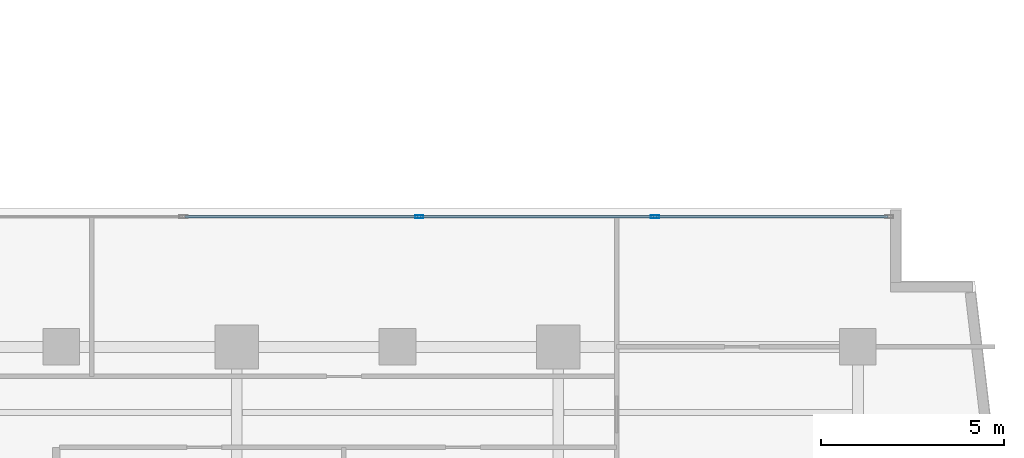
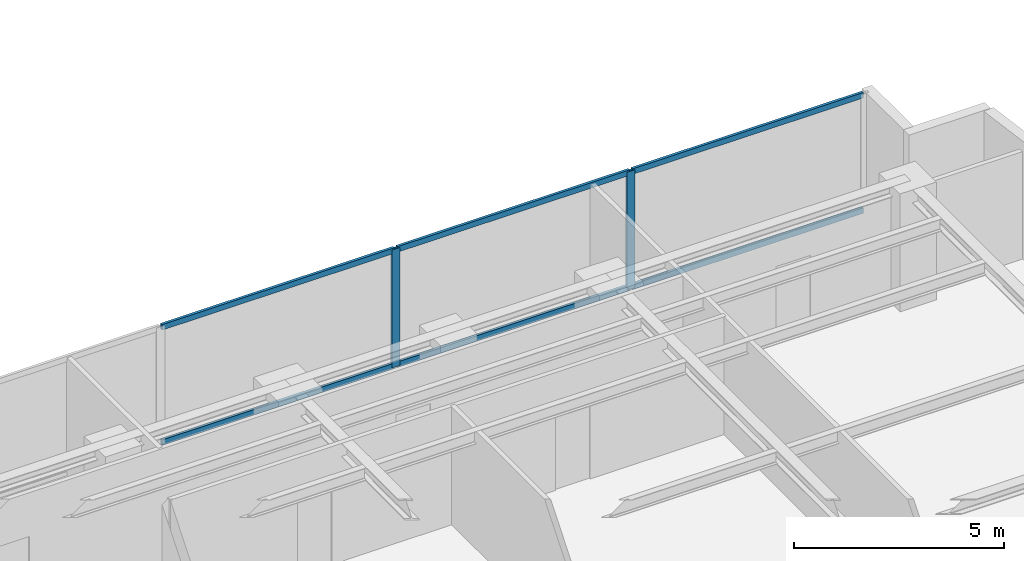
# One storey, part 13 of 26: 8 members, 1 element without a shape of its own.
"""IFC4 building model written with IfcOpenShell, lengths in metres."""

from ifc_helpers import new_model, si_unit, direction, frame, origin, origin_with_axes, origin_2d, place, context, subcontext, project, spatial, hollow_rectangle, extrude, source, transform, mapped, material, layer, layer_set, material_profile, profile_set, type_object, element, aggregate, save


model = new_model("IFC4")

# Units and contexts
model_context = context("Model", 3, precision=1e-05, world=origin(), true_north=direction((0.0, 1.0)))
body_context = subcontext(model_context, "Body", "Model", "MODEL_VIEW")
ifc_project = project(units=[si_unit("LENGTHUNIT", "METRE"), si_unit("AREAUNIT", "SQUARE_METRE"), si_unit("VOLUMEUNIT", "CUBIC_METRE"), si_unit("PLANEANGLEUNIT", "RADIAN"), si_unit("MASSUNIT", "GRAM", prefix="KILO")], contexts=[model_context])

# Site, building, storey
site_placement = place(None, origin())
site = spatial("IfcSite", under=ifc_project, at=site_placement, CompositionType="ELEMENT")
building_placement = place(site_placement, origin())
building = spatial("IfcBuilding", under=site, at=building_placement, Name="Kolvaren Waterfront Exchange", CompositionType="ELEMENT")
storey_placement = place(building_placement, frame((0.0, 0.0, 195.60009765625)))
storey = spatial("IfcBuildingStorey", under=building, at=storey_placement, Name="L50", CompositionType="ELEMENT", Elevation=195.60009765625)

# Curtain wall, members
ifc_material_1 = material(Name="Anodised bronze aluminium 6063-T6", Category="aluminium")
ifc_layer = layer(ifc_material_1, 0.219970703125, Name="Anodised bronze aluminium 6063-T6")
ifc_layer_set = layer_set([ifc_layer], Name="Anodised bronze aluminium 6063-T6")
curtain_wall_type = type_object("IfcCurtainWallType", Name="ARC-CW-SYS1", PredefinedType="USERDEFINED", material=ifc_layer_set)
curtain_wall_placement = place(storey_placement, origin())
curtain_wall = element("IfcCurtainWall", 1, at=curtain_wall_placement, inside=storey, type_object=curtain_wall_type, Name="L50 stick curtain wall CW1 (CW-L50-EN)", ObjectType="STICK CURTAIN WALL", PredefinedType="USERDEFINED")
ifc_material_2 = material(Name="Anodised aluminium 6063-T6", Category="aluminium")
ifc_material_profile_1 = material_profile(ifc_material_2, hollow_rectangle(XDim=0.080078125, YDim=0.219970703125, WallThickness=0.0048828125, at=origin_2d()), Name="ALU-MUL-220x80x5")
ifc_profile_set_1 = profile_set([ifc_material_profile_1], Name="Anodised aluminium 6063-T6")
member_type_1 = type_object("IfcMemberType", Name="ARC-CWM-220", PredefinedType="MULLION", material=ifc_profile_set_1)
shared_shape_1 = source(origin_with_axes(), body_context, "Body", "SweptSolid", [
    extrude(hollow_rectangle(XDim=0.080078125, YDim=0.219970703125, WallThickness=0.0048828125, at=origin_2d()), origin(), (0.0, 0.0, 1.0), 3.419921875),
])
member_1_placement = place(storey_placement, frame((41.794921875, 20.9599609375, 0.0), z_axis=(0.0, 0.0, 1.0), x_axis=(0.0, 1.0, 0.0)))
member_1 = element("IfcMember", 2, at=member_1_placement, type_object=member_type_1, Name="CW1 mullion 3", PredefinedType="MULLION", context=body_context, shape_type="MappedRepresentation", body=[
    mapped(shared_shape_1, transform((0.0, 0.0, 0.0), x_axis=(1.0, 0.0, 0.0), y_axis=(0.0, 1.0, 0.0), z_axis=(0.0, 0.0, 1.0), scale=1.0)),
])
member_2_placement = place(storey_placement, frame((48.24755859375, 20.9599609375, 0.0), z_axis=(0.0, 0.0, 1.0), x_axis=(0.0, 1.0, 0.0)))
member_2 = element("IfcMember", 3, at=member_2_placement, type_object=member_type_1, Name="CW1 mullion 4", PredefinedType="MULLION", context=body_context, shape_type="MappedRepresentation", body=[
    mapped(shared_shape_1, transform((0.0, 0.0, 0.0), x_axis=(1.0, 0.0, 0.0), y_axis=(0.0, 1.0, 0.0), z_axis=(0.0, 0.0, 1.0), scale=1.0)),
])
ifc_material_profile_2 = material_profile(ifc_material_2, hollow_rectangle(XDim=0.074951171875, YDim=0.159912109375, WallThickness=0.00439453125, at=origin_2d()), Name="ALU-TRN-160x75x4.5")
ifc_profile_set_2 = profile_set([ifc_material_profile_2], Name="Anodised aluminium 6063-T6")
member_type_2 = type_object("IfcMemberType", Name="ARC-CWT-160", PredefinedType="USERDEFINED", material=ifc_profile_set_2)
shared_shape_2 = source(origin_with_axes(), body_context, "Body", "SweptSolid", [
    extrude(hollow_rectangle(XDim=0.074951171875, YDim=0.159912109375, WallThickness=0.00439453125, at=origin_2d()), origin(), (0.0, 0.0, 1.0), 6.33251953125),
])
member_3_placement = place(storey_placement, frame((48.28759765625, 20.9599609375, 0.037353515625), z_axis=(1.0, 0.0, 0.0), x_axis=(0.0, 1.0, 0.0)))
member_3 = element("IfcMember", 4, at=member_3_placement, type_object=member_type_2, Name="CW1 transom 4.1", ObjectType="TRANSOM", PredefinedType="USERDEFINED", context=body_context, shape_type="MappedRepresentation", body=[
    mapped(shared_shape_2, transform((0.0, 0.0, 0.0), x_axis=(1.0, 0.0, 0.0), y_axis=(0.0, 1.0, 0.0), z_axis=(0.0, 0.0, 1.0), scale=1.0)),
])
member_4_placement = place(storey_placement, frame((48.28759765625, 20.9599609375, 3.38232421875), z_axis=(1.0, 0.0, 0.0), x_axis=(0.0, 1.0, 0.0)))
member_4 = element("IfcMember", 5, at=member_4_placement, type_object=member_type_2, Name="CW1 transom 4.2", ObjectType="TRANSOM", PredefinedType="USERDEFINED", context=body_context, shape_type="MappedRepresentation", body=[
    mapped(shared_shape_2, transform((0.0, 0.0, 0.0), x_axis=(1.0, 0.0, 0.0), y_axis=(0.0, 1.0, 0.0), z_axis=(0.0, 0.0, 1.0), scale=1.0)),
])
shared_shape_3 = source(origin_with_axes(), body_context, "Body", "SweptSolid", [
    extrude(hollow_rectangle(XDim=0.074951171875, YDim=0.159912109375, WallThickness=0.00439453125, at=origin_2d()), origin(), (0.0, 0.0, 1.0), 6.372314453125),
])
member_5_placement = place(storey_placement, frame((35.382568359375, 20.9599609375, 0.037353515625), z_axis=(1.0, 0.0, 0.0), x_axis=(0.0, 1.0, 0.0)))
member_5 = element("IfcMember", 6, at=member_5_placement, type_object=member_type_2, Name="CW1 transom 2.1", ObjectType="TRANSOM", PredefinedType="USERDEFINED", context=body_context, shape_type="MappedRepresentation", body=[
    mapped(shared_shape_3, transform((0.0, 0.0, 0.0), x_axis=(1.0, 0.0, 0.0), y_axis=(0.0, 1.0, 0.0), z_axis=(0.0, 0.0, 1.0), scale=1.0)),
])
member_6_placement = place(storey_placement, frame((35.382568359375, 20.9599609375, 3.38232421875), z_axis=(1.0, 0.0, 0.0), x_axis=(0.0, 1.0, 0.0)))
member_6 = element("IfcMember", 7, at=member_6_placement, type_object=member_type_2, Name="CW1 transom 2.2", ObjectType="TRANSOM", PredefinedType="USERDEFINED", context=body_context, shape_type="MappedRepresentation", body=[
    mapped(shared_shape_3, transform((0.0, 0.0, 0.0), x_axis=(1.0, 0.0, 0.0), y_axis=(0.0, 1.0, 0.0), z_axis=(0.0, 0.0, 1.0), scale=1.0)),
])
shared_shape_4 = source(origin_with_axes(), body_context, "Body", "SweptSolid", [
    extrude(hollow_rectangle(XDim=0.074951171875, YDim=0.159912109375, WallThickness=0.00439453125, at=origin_2d()), origin(), (0.0, 0.0, 1.0), 6.37255859375),
])
member_7_placement = place(storey_placement, frame((41.8349609375, 20.9599609375, 0.037353515625), z_axis=(1.0, 0.0, 0.0), x_axis=(0.0, 1.0, 0.0)))
member_7 = element("IfcMember", 8, at=member_7_placement, type_object=member_type_2, Name="CW1 transom 3.1", ObjectType="TRANSOM", PredefinedType="USERDEFINED", context=body_context, shape_type="MappedRepresentation", body=[
    mapped(shared_shape_4, transform((0.0, 0.0, 0.0), x_axis=(1.0, 0.0, 0.0), y_axis=(0.0, 1.0, 0.0), z_axis=(0.0, 0.0, 1.0), scale=1.0)),
])
member_8_placement = place(storey_placement, frame((41.8349609375, 20.9599609375, 3.38232421875), z_axis=(1.0, 0.0, 0.0), x_axis=(0.0, 1.0, 0.0)))
member_8 = element("IfcMember", 9, at=member_8_placement, type_object=member_type_2, Name="CW1 transom 3.2", ObjectType="TRANSOM", PredefinedType="USERDEFINED", context=body_context, shape_type="MappedRepresentation", body=[
    mapped(shared_shape_4, transform((0.0, 0.0, 0.0), x_axis=(1.0, 0.0, 0.0), y_axis=(0.0, 1.0, 0.0), z_axis=(0.0, 0.0, 1.0), scale=1.0)),
])
aggregate(curtain_wall, [member_1, member_2, member_5, member_6, member_7, member_8, member_3, member_4])

save(model, "model.ifc")
